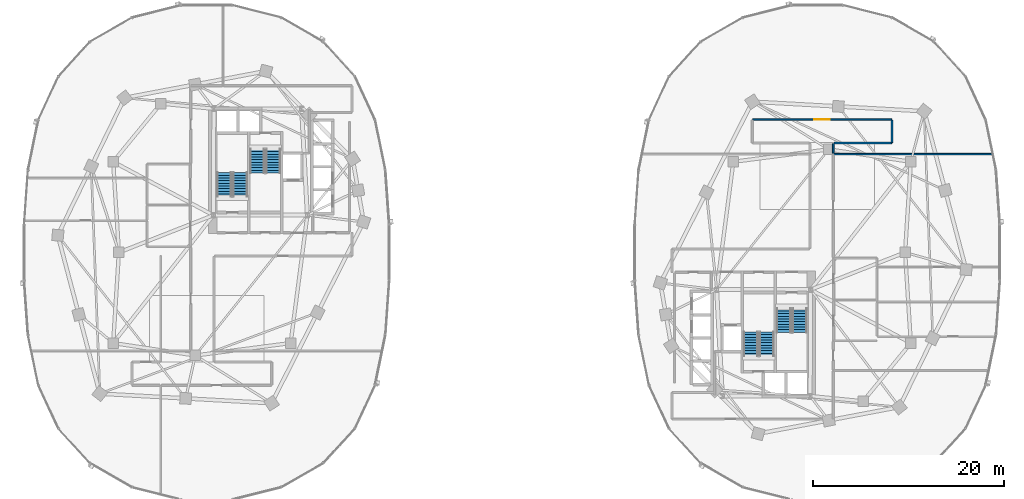
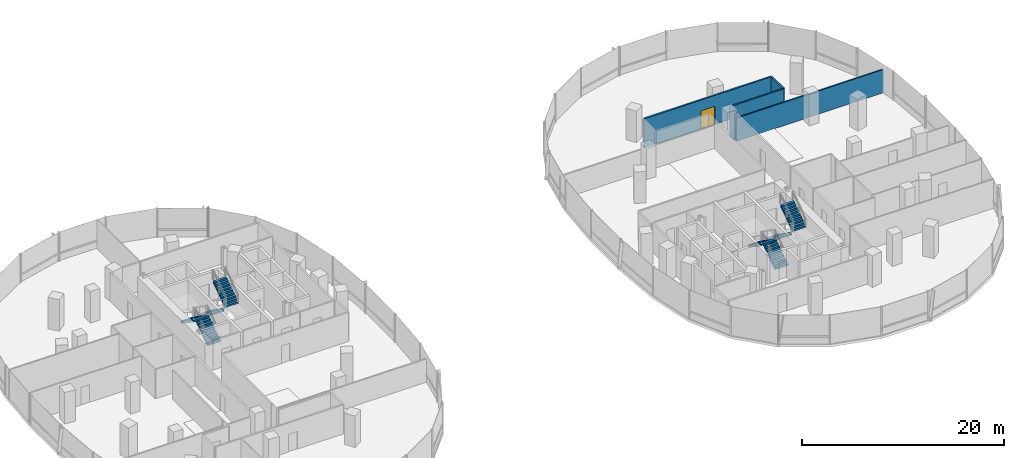
# One storey, part 14 of 21: 8 stair flights, 5 walls, 1 door, 1 opening, 4 elements without a shape of their own.
"""IFC4 building model written with IfcOpenShell, lengths in metres."""

from ifc_helpers import new_model, si_unit, direction, frame, frame_2d, origin, place, context, subcontext, project, spatial, polyline, rectangle, outline, extrude, material, layer, layer_set, type_object, element, fill, aggregate, save


model = new_model("IFC4")

# Units and contexts
model_context = context("Model", 3, precision=1e-05, world=origin(), true_north=direction((0.0, 1.0)))
body_context = subcontext(model_context, "Body", "Model", "MODEL_VIEW")
ifc_project = project(units=[si_unit("LENGTHUNIT", "METRE"), si_unit("AREAUNIT", "SQUARE_METRE"), si_unit("VOLUMEUNIT", "CUBIC_METRE"), si_unit("PLANEANGLEUNIT", "RADIAN"), si_unit("MASSUNIT", "GRAM", prefix="KILO"), si_unit("THERMODYNAMICTEMPERATUREUNIT", "KELVIN"), si_unit("POWERUNIT", "WATT")], contexts=[model_context])

# Site, building, storey
site_placement = place(None, origin())
site = spatial("IfcSite", under=ifc_project, at=site_placement, CompositionType="ELEMENT")
building_placement = place(site_placement, origin())
building = spatial("IfcBuilding", under=site, at=building_placement, Name="Cundina Bronze Exchange", CompositionType="ELEMENT")
storey_placement = place(building_placement, frame((0.0, 0.0, 46.800048828125)))
storey = spatial("IfcBuildingStorey", under=building, at=storey_placement, Name="L11", CompositionType="ELEMENT", Elevation=46.800048828125)

# Wall, opening, door
ifc_material_1 = material(Name="Gypsum Fireboard Partition EI120")
ifc_layer_1 = layer(ifc_material_1, 0.179931640625, Name="Gypsum Fireboard Partition EI120")
ifc_layer_set_1 = layer_set([ifc_layer_1], Name="Gypsum Fireboard Partition EI120")
wall_type_1 = type_object("IfcWallType", Name="WL-COR-180", PredefinedType="PARTITIONING", material=ifc_layer_set_1)
wall_1_placement = place(storey_placement, frame((39.778564453125, 13.919921875, 0.0), z_axis=(0.0, 0.0, 1.0), x_axis=(-1.0, 0.0, 0.0)))
wall_1 = element("IfcWall", 1, at=wall_1_placement, inside=storey, type_object=wall_type_1, Name="L11 Interior Partition 066", PredefinedType="PARTITIONING", context=body_context, shape_type="SweptSolid", body=[
    extrude(rectangle(XDim=14.55712890625, YDim=0.179931640625, at=frame_2d((7.278564453125, 0.0))), origin(), (0.0, 0.0, 1.0), 3.5),
])
opening_placement = place(wall_1_placement, frame((6.478515625, 0.0, 0.0)))
opening = element("IfcOpeningElement", 2, at=opening_placement, cuts=wall_1, Name="Opening DO-02", PredefinedType="OPENING", context=body_context, shape_type="SweptSolid", body=[
    extrude(rectangle(XDim=1.60009765625, YDim=2.199951171875, at=frame_2d((0.800048828125, 1.10009765625))), frame((0.0, 0.099853515625, 0.0), z_axis=(0.0, -1.0, 0.0), x_axis=(1.0, 0.0, 0.0)), (0.0, 0.0, 1.0), 0.199951171875),
])
ifc_material_2 = material(Name="Solid Andean Oak Timber Grade A", Category="wood")
door_type = type_object("IfcDoorType", Name="DR-TRD-1600", OperationType="NOTDEFINED", PredefinedType="DOOR", material=ifc_material_2)
door_placement = place(opening_placement, origin())
door = element("IfcDoor", 3, at=door_placement, inside=storey, type_object=door_type, Name="L11 Interior Door 066", OperationType="SINGLE_SWING_LEFT", OverallHeight=2.199951171875, OverallWidth=1.60009765625, PredefinedType="DOOR", context=body_context, shape_type="SweptSolid", body=[
    extrude(rectangle(XDim=1.60009765625, YDim=2.199951171875, at=frame_2d((0.800048828125, 1.10009765625))), frame((0.0, 0.02490234375, 0.0), z_axis=(0.0, -1.0, 0.0), x_axis=(1.0, 0.0, 0.0)), (0.0, 0.0, 1.0), 0.050048828125),
])
fill(opening, door)

# Walls
wall_2_placement = place(storey_placement, frame((33.75, 11.47998046875, 0.0), z_axis=(0.0, 0.0, 1.0), x_axis=(1.0, 0.0, 0.0)))
element("IfcWall", 4, at=wall_2_placement, inside=storey, type_object=wall_type_1, Name="L11 Interior Partition 067", PredefinedType="PARTITIONING", context=body_context, shape_type="SweptSolid", body=[
    extrude(rectangle(XDim=6.028564453125, YDim=0.179931640625, at=frame_2d((3.01416015625, 0.0))), origin(), (0.0, 0.0, 1.0), 3.5),
])
wall_3_placement = place(storey_placement, frame((39.820068359375, 11.521484375, 0.0), z_axis=(0.0, 0.0, 1.0), x_axis=(0.0, 1.0, 0.0)))
element("IfcWall", 5, at=wall_3_placement, inside=storey, type_object=wall_type_1, Name="L11 Interior Partition 069", PredefinedType="PARTITIONING", context=body_context, shape_type="SweptSolid", body=[
    extrude(rectangle(XDim=2.35693359375, YDim=0.179931640625, at=frame_2d((1.178466796875, 0.0))), origin(), (0.0, 0.0, 1.0), 3.5),
])
wall_4_placement = place(storey_placement, frame((33.669921875, 10.39990234375, 0.0), z_axis=(0.0, 0.0, 1.0), x_axis=(0.0, 1.0, 0.0)))
element("IfcWall", 6, at=wall_4_placement, inside=storey, type_object=wall_type_1, Name="L11 Interior Partition 071", PredefinedType="PARTITIONING", context=body_context, shape_type="SweptSolid", body=[
    extrude(rectangle(XDim=1.0, YDim=0.179931640625, at=frame_2d((0.5, 0.0))), origin(), (0.0, 0.0, 1.0), 3.5),
])
ifc_material_3 = material(Name="Gypsum Acoustic Partition EI60")
ifc_layer_2 = layer(ifc_material_3, 0.14990234375, Name="Gypsum Acoustic Partition EI60")
ifc_layer_set_2 = layer_set([ifc_layer_2], Name="Gypsum Acoustic Partition EI60")
wall_type_2 = type_object("IfcWallType", Name="WL-TEN-150", PredefinedType="PARTITIONING", material=ifc_layer_set_2)
wall_5_placement = place(storey_placement, frame((33.699951171875, 10.31005859375, 0.0), z_axis=(0.0, 0.0, 1.0), x_axis=(1.0, 0.0, 0.0)))
element("IfcWall", 7, at=wall_5_placement, inside=storey, type_object=wall_type_2, Name="L11 Interior Partition 054", PredefinedType="PARTITIONING", context=body_context, shape_type="SweptSolid", body=[
    extrude(rectangle(XDim=16.763671875, YDim=0.14990234375, at=frame_2d((8.3818359375, 0.0))), origin(), (0.0, 0.0, 1.0), 2.804931640625),
])

# Stair, stair flights
ifc_material_4 = material(Name="Concrete C40/50", Category="concrete")
stair_type = type_object("IfcStairType", Name="STR-TRD-380", PredefinedType="HALF_TURN_STAIR", material=ifc_material_4)
stair_1_placement = place(storey_placement, origin())
stair_1 = element("IfcStair", 8, at=stair_1_placement, inside=storey, type_object=stair_type, Name="L11 Smokeproof Exit Stair W1", PredefinedType="HALF_TURN_STAIR")
stair_flight_type = type_object("IfcStairFlightType", Name="FLG-TRD-190", PredefinedType="STRAIGHT", material=ifc_material_4)
stair_flight_1_placement = place(storey_placement, frame((-28.489990234375, 5.85009765625, 0.0), z_axis=(0.0, 0.0, 1.0), x_axis=(0.0, 1.0, 0.0)))
stair_flight_1 = element("IfcStairFlight", 9, at=stair_flight_1_placement, type_object=stair_flight_type, Name="ST-W1 flight 1", NumberOfRisers=10, NumberOfTreads=9, PredefinedType="STRAIGHT", RiserHeight=0.19, TreadLength=0.28, context=body_context, shape_type="SweptSolid", body=[
    extrude(outline(polyline([(0.0, 0.0), (0.0, 0.18994140625), (0.280029296875, 0.18994140625), (0.280029296875, 0.3798828125), (0.56005859375, 0.3798828125), (0.56005859375, 0.570068359375), (0.840087890625, 0.570068359375), (0.840087890625, 0.760009765625), (1.1201171875, 0.760009765625), (1.1201171875, 0.949951171875), (1.39990234375, 0.949951171875), (1.39990234375, 1.139892578125), (1.679931640625, 1.139892578125), (1.679931640625, 1.330078125), (1.9599609375, 1.330078125), (1.9599609375, 1.52001953125), (2.239990234375, 1.52001953125), (2.239990234375, 1.7099609375), (2.52001953125, 1.7099609375), (2.52001953125, 1.89990234375), (2.52001953125, 1.52880859375), (0.266845703125, 0.0), (0.0, 0.0)])), frame((0.0, 0.75, 0.0), z_axis=(0.0, -1.0, 0.0), x_axis=(1.0, 0.0, 0.0)), (0.0, 0.0, 1.0), 1.5),
])
stair_flight_2_placement = place(storey_placement, frame((-30.14990234375, 8.3701171875, 1.89990234375), z_axis=(0.0, 0.0, 1.0), x_axis=(0.0, -1.0, 0.0)))
stair_flight_2 = element("IfcStairFlight", 10, at=stair_flight_2_placement, type_object=stair_flight_type, Name="ST-W1 flight 2", NumberOfRisers=10, NumberOfTreads=9, PredefinedType="STRAIGHT", RiserHeight=0.19, TreadLength=0.28, context=body_context, shape_type="SweptSolid", body=[
    extrude(outline(polyline([(0.0, 0.0), (0.0, 0.18994140625), (0.280029296875, 0.18994140625), (0.280029296875, 0.3798828125), (0.56005859375, 0.3798828125), (0.56005859375, 0.570068359375), (0.840087890625, 0.570068359375), (0.840087890625, 0.760009765625), (1.1201171875, 0.760009765625), (1.1201171875, 0.949951171875), (1.39990234375, 0.949951171875), (1.39990234375, 1.139892578125), (1.679931640625, 1.139892578125), (1.679931640625, 1.330078125), (1.9599609375, 1.330078125), (1.9599609375, 1.52001953125), (2.239990234375, 1.52001953125), (2.239990234375, 1.7099609375), (2.52001953125, 1.7099609375), (2.52001953125, 1.89990234375), (2.52001953125, 1.52880859375), (0.266845703125, 0.0), (0.0, 0.0)])), frame((0.0, 0.75, 0.0), z_axis=(0.0, -1.0, 0.0), x_axis=(1.0, 0.0, 0.0)), (0.0, 0.0, 1.0), 1.5),
])
aggregate(stair_1, [stair_flight_1, stair_flight_2])

stair_2_placement = place(storey_placement, origin())
stair_2 = element("IfcStair", 11, at=stair_2_placement, inside=storey, type_object=stair_type, Name="L11 Smokeproof Exit Stair W2", PredefinedType="HALF_TURN_STAIR")
stair_flight_3_placement = place(storey_placement, frame((-26.68994140625, 10.85009765625, 0.0), z_axis=(0.0, 0.0, 1.0), x_axis=(0.0, -1.0, 0.0)))
stair_flight_3 = element("IfcStairFlight", 12, at=stair_flight_3_placement, type_object=stair_flight_type, Name="ST-W2 flight 1", NumberOfRisers=10, NumberOfTreads=9, PredefinedType="STRAIGHT", RiserHeight=0.19, TreadLength=0.28, context=body_context, shape_type="SweptSolid", body=[
    extrude(outline(polyline([(0.0, 0.0), (0.0, 0.18994140625), (0.280029296875, 0.18994140625), (0.280029296875, 0.3798828125), (0.56005859375, 0.3798828125), (0.56005859375, 0.570068359375), (0.840087890625, 0.570068359375), (0.840087890625, 0.760009765625), (1.1201171875, 0.760009765625), (1.1201171875, 0.949951171875), (1.39990234375, 0.949951171875), (1.39990234375, 1.139892578125), (1.679931640625, 1.139892578125), (1.679931640625, 1.330078125), (1.9599609375, 1.330078125), (1.9599609375, 1.52001953125), (2.239990234375, 1.52001953125), (2.239990234375, 1.7099609375), (2.52001953125, 1.7099609375), (2.52001953125, 1.89990234375), (2.52001953125, 1.52880859375), (0.266845703125, 0.0), (0.0, 0.0)])), frame((0.0, 0.75, 0.0), z_axis=(0.0, -1.0, 0.0), x_axis=(1.0, 0.0, 0.0)), (0.0, 0.0, 1.0), 1.5),
])
stair_flight_4_placement = place(storey_placement, frame((-25.030029296875, 8.330078125, 1.89990234375), z_axis=(0.0, 0.0, 1.0), x_axis=(0.0, 1.0, 0.0)))
stair_flight_4 = element("IfcStairFlight", 13, at=stair_flight_4_placement, type_object=stair_flight_type, Name="ST-W2 flight 2", NumberOfRisers=10, NumberOfTreads=9, PredefinedType="STRAIGHT", RiserHeight=0.19, TreadLength=0.28, context=body_context, shape_type="SweptSolid", body=[
    extrude(outline(polyline([(0.0, 0.0), (0.0, 0.18994140625), (0.280029296875, 0.18994140625), (0.280029296875, 0.3798828125), (0.56005859375, 0.3798828125), (0.56005859375, 0.570068359375), (0.840087890625, 0.570068359375), (0.840087890625, 0.760009765625), (1.1201171875, 0.760009765625), (1.1201171875, 0.949951171875), (1.39990234375, 0.949951171875), (1.39990234375, 1.139892578125), (1.679931640625, 1.139892578125), (1.679931640625, 1.330078125), (1.9599609375, 1.330078125), (1.9599609375, 1.52001953125), (2.239990234375, 1.52001953125), (2.239990234375, 1.7099609375), (2.52001953125, 1.7099609375), (2.52001953125, 1.89990234375), (2.52001953125, 1.52880859375), (0.266845703125, 0.0), (0.0, 0.0)])), frame((0.0, 0.75, 0.0), z_axis=(0.0, -1.0, 0.0), x_axis=(1.0, 0.0, 0.0)), (0.0, 0.0, 1.0), 1.5),
])
aggregate(stair_2, [stair_flight_3, stair_flight_4])

stair_3_placement = place(storey_placement, origin())
stair_3 = element("IfcStair", 14, at=stair_3_placement, inside=storey, type_object=stair_type, Name="L11 Smokeproof Exit Stair E1", PredefinedType="HALF_TURN_STAIR")
stair_flight_5_placement = place(storey_placement, frame((28.489990234375, -5.85009765625, 0.0), z_axis=(0.0, 0.0, 1.0), x_axis=(0.0, -1.0, 0.0)))
stair_flight_5 = element("IfcStairFlight", 15, at=stair_flight_5_placement, type_object=stair_flight_type, Name="ST-E1 flight 1", NumberOfRisers=10, NumberOfTreads=9, PredefinedType="STRAIGHT", RiserHeight=0.19, TreadLength=0.28, context=body_context, shape_type="SweptSolid", body=[
    extrude(outline(polyline([(0.0, 0.0), (0.0, 0.18994140625), (0.280029296875, 0.18994140625), (0.280029296875, 0.3798828125), (0.56005859375, 0.3798828125), (0.56005859375, 0.570068359375), (0.840087890625, 0.570068359375), (0.840087890625, 0.760009765625), (1.1201171875, 0.760009765625), (1.1201171875, 0.949951171875), (1.39990234375, 0.949951171875), (1.39990234375, 1.139892578125), (1.679931640625, 1.139892578125), (1.679931640625, 1.330078125), (1.9599609375, 1.330078125), (1.9599609375, 1.52001953125), (2.239990234375, 1.52001953125), (2.239990234375, 1.7099609375), (2.52001953125, 1.7099609375), (2.52001953125, 1.89990234375), (2.52001953125, 1.52880859375), (0.266845703125, 0.0), (0.0, 0.0)])), frame((0.0, 0.75, 0.0), z_axis=(0.0, -1.0, 0.0), x_axis=(1.0, 0.0, 0.0)), (0.0, 0.0, 1.0), 1.5),
])
stair_flight_6_placement = place(storey_placement, frame((30.14990234375, -8.3701171875, 1.89990234375), z_axis=(0.0, 0.0, 1.0), x_axis=(0.0, 1.0, 0.0)))
stair_flight_6 = element("IfcStairFlight", 16, at=stair_flight_6_placement, type_object=stair_flight_type, Name="ST-E1 flight 2", NumberOfRisers=10, NumberOfTreads=9, PredefinedType="STRAIGHT", RiserHeight=0.19, TreadLength=0.28, context=body_context, shape_type="SweptSolid", body=[
    extrude(outline(polyline([(0.0, 0.0), (0.0, 0.18994140625), (0.280029296875, 0.18994140625), (0.280029296875, 0.3798828125), (0.56005859375, 0.3798828125), (0.56005859375, 0.570068359375), (0.840087890625, 0.570068359375), (0.840087890625, 0.760009765625), (1.1201171875, 0.760009765625), (1.1201171875, 0.949951171875), (1.39990234375, 0.949951171875), (1.39990234375, 1.139892578125), (1.679931640625, 1.139892578125), (1.679931640625, 1.330078125), (1.9599609375, 1.330078125), (1.9599609375, 1.52001953125), (2.239990234375, 1.52001953125), (2.239990234375, 1.7099609375), (2.52001953125, 1.7099609375), (2.52001953125, 1.89990234375), (2.52001953125, 1.52880859375), (0.266845703125, 0.0), (0.0, 0.0)])), frame((0.0, 0.75, 0.0), z_axis=(0.0, -1.0, 0.0), x_axis=(1.0, 0.0, 0.0)), (0.0, 0.0, 1.0), 1.5),
])
aggregate(stair_3, [stair_flight_5, stair_flight_6])

stair_4_placement = place(storey_placement, origin())
stair_4 = element("IfcStair", 17, at=stair_4_placement, inside=storey, type_object=stair_type, Name="L11 Smokeproof Exit Stair E2", PredefinedType="HALF_TURN_STAIR")
stair_flight_7_placement = place(storey_placement, frame((26.68994140625, -10.85009765625, 0.0), z_axis=(0.0, 0.0, 1.0), x_axis=(0.0, 1.0, 0.0)))
stair_flight_7 = element("IfcStairFlight", 18, at=stair_flight_7_placement, type_object=stair_flight_type, Name="ST-E2 flight 1", NumberOfRisers=10, NumberOfTreads=9, PredefinedType="STRAIGHT", RiserHeight=0.19, TreadLength=0.28, context=body_context, shape_type="SweptSolid", body=[
    extrude(outline(polyline([(0.0, 0.0), (0.0, 0.18994140625), (0.280029296875, 0.18994140625), (0.280029296875, 0.3798828125), (0.56005859375, 0.3798828125), (0.56005859375, 0.570068359375), (0.840087890625, 0.570068359375), (0.840087890625, 0.760009765625), (1.1201171875, 0.760009765625), (1.1201171875, 0.949951171875), (1.39990234375, 0.949951171875), (1.39990234375, 1.139892578125), (1.679931640625, 1.139892578125), (1.679931640625, 1.330078125), (1.9599609375, 1.330078125), (1.9599609375, 1.52001953125), (2.239990234375, 1.52001953125), (2.239990234375, 1.7099609375), (2.52001953125, 1.7099609375), (2.52001953125, 1.89990234375), (2.52001953125, 1.52880859375), (0.266845703125, 0.0), (0.0, 0.0)])), frame((0.0, 0.75, 0.0), z_axis=(0.0, -1.0, 0.0), x_axis=(1.0, 0.0, 0.0)), (0.0, 0.0, 1.0), 1.5),
])
stair_flight_8_placement = place(storey_placement, frame((25.030029296875, -8.330078125, 1.89990234375), z_axis=(0.0, 0.0, 1.0), x_axis=(0.0, -1.0, 0.0)))
stair_flight_8 = element("IfcStairFlight", 19, at=stair_flight_8_placement, type_object=stair_flight_type, Name="ST-E2 flight 2", NumberOfRisers=10, NumberOfTreads=9, PredefinedType="STRAIGHT", RiserHeight=0.19, TreadLength=0.28, context=body_context, shape_type="SweptSolid", body=[
    extrude(outline(polyline([(0.0, 0.0), (0.0, 0.18994140625), (0.280029296875, 0.18994140625), (0.280029296875, 0.3798828125), (0.56005859375, 0.3798828125), (0.56005859375, 0.570068359375), (0.840087890625, 0.570068359375), (0.840087890625, 0.760009765625), (1.1201171875, 0.760009765625), (1.1201171875, 0.949951171875), (1.39990234375, 0.949951171875), (1.39990234375, 1.139892578125), (1.679931640625, 1.139892578125), (1.679931640625, 1.330078125), (1.9599609375, 1.330078125), (1.9599609375, 1.52001953125), (2.239990234375, 1.52001953125), (2.239990234375, 1.7099609375), (2.52001953125, 1.7099609375), (2.52001953125, 1.89990234375), (2.52001953125, 1.52880859375), (0.266845703125, 0.0), (0.0, 0.0)])), frame((0.0, 0.75, 0.0), z_axis=(0.0, -1.0, 0.0), x_axis=(1.0, 0.0, 0.0)), (0.0, 0.0, 1.0), 1.5),
])
aggregate(stair_4, [stair_flight_7, stair_flight_8])

save(model, "model.ifc")
